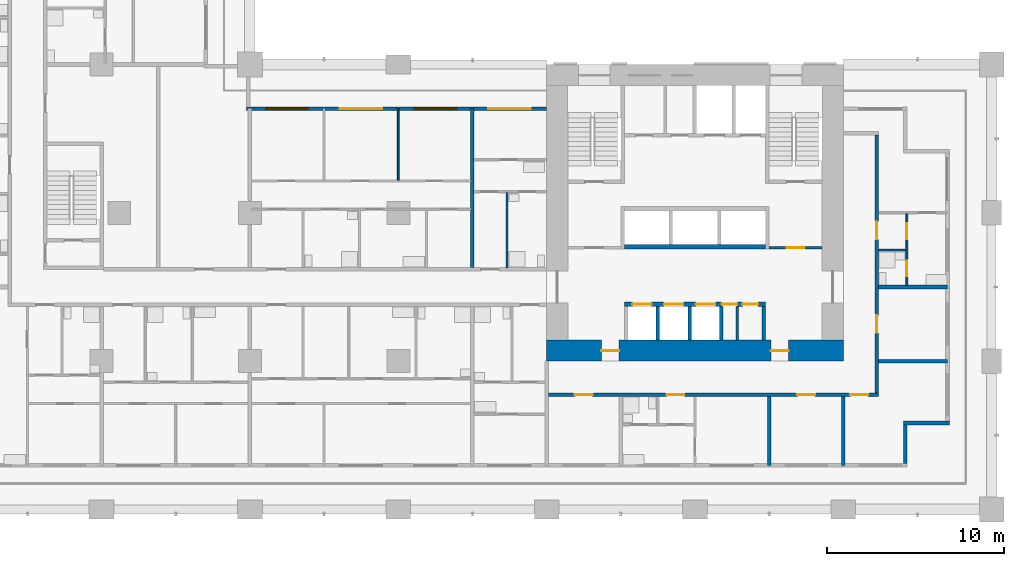
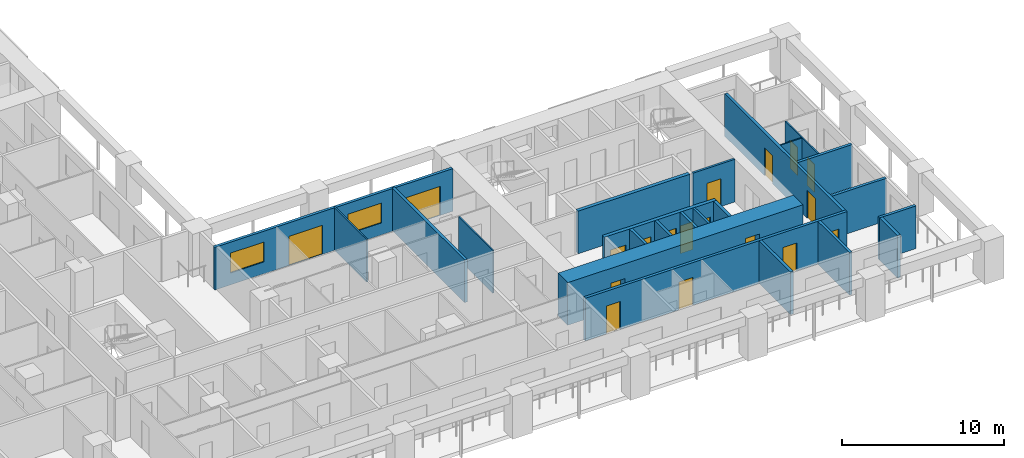
# One storey, part 6 of 19: 23 walls, 18 doors, 2 windows, 20 openings.
"""IFC4 building model written with IfcOpenShell, lengths in metres."""

from ifc_helpers import new_model, si_unit, direction, frame, frame_2d, origin, place, context, subcontext, project, spatial, rectangle, extrude, material, layer, layer_set, type_object, element, fill, save


model = new_model("IFC4")

# Units and contexts
model_context = context("Model", 3, precision=1e-05, world=origin(), true_north=direction((0.0, 1.0)))
body_context = subcontext(model_context, "Body", "Model", "MODEL_VIEW")
ifc_project = project(units=[si_unit("LENGTHUNIT", "METRE"), si_unit("AREAUNIT", "SQUARE_METRE"), si_unit("VOLUMEUNIT", "CUBIC_METRE"), si_unit("PLANEANGLEUNIT", "RADIAN"), si_unit("MASSUNIT", "GRAM", prefix="KILO")], contexts=[model_context])

# Site, building, storey
site_placement = place(None, origin())
site = spatial("IfcSite", under=ifc_project, at=site_placement, CompositionType="ELEMENT")
building_placement = place(site_placement, origin())
building = spatial("IfcBuilding", under=site, at=building_placement, Name="Vermilion Gate Residences", CompositionType="ELEMENT")
storey_placement = place(building_placement, frame((0.0, 0.0, 46.199951171875)))
storey = spatial("IfcBuildingStorey", under=building, at=storey_placement, Name="L10", CompositionType="ELEMENT", Elevation=46.199951171875)

# Wall
ifc_material_1 = material(Name="Masonry blockwork", Category="masonry")
ifc_layer_1 = layer(ifc_material_1, 0.14990234375)
ifc_layer_set_1 = layer_set([ifc_layer_1], Name="BLOCKWORK PARTITION 150 EI 120")
wall_type_1 = type_object("IfcWallType", Name="BLOCKWORK PARTITION 150 EI 120", PredefinedType="PARTITIONING", material=ifc_layer_set_1)
wall_1_placement = place(storey_placement, frame((52.79248046875, 9.60009765625, 0.0), z_axis=(0.0, 0.0, 1.0), x_axis=(0.0, 1.0, 0.0)))
element("IfcWall", 1, at=wall_1_placement, inside=storey, type_object=wall_type_1, Name="Core room partition A10-SR-P0", PredefinedType="PARTITIONING", context=body_context, shape_type="SweptSolid", body=[
    extrude(rectangle(XDim=1.89990234375, YDim=0.14990234375, at=frame_2d((0.949951171875, 0.0))), origin(), (0.0, 0.0, 1.0), 3.219970703125),
])

# Wall, opening, door
wall_2_placement = place(storey_placement, frame((54.60009765625, 14.824951171875, 0.0), z_axis=(0.0, 0.0, 1.0), x_axis=(1.0, 0.0, 0.0)))
wall_2 = element("IfcWall", 2, at=wall_2_placement, inside=storey, type_object=wall_type_1, Name="Core room partition A10-VE-S", PredefinedType="PARTITIONING", context=body_context, shape_type="SweptSolid", body=[
    extrude(rectangle(XDim=3.0, YDim=0.14990234375, at=frame_2d((1.5, 0.0))), origin(), (0.0, 0.0, 1.0), 3.219970703125),
])
opening_1_placement = place(wall_2_placement, frame((1.0, 0.0, 0.0)))
opening_1 = element("IfcOpeningElement", 3, at=opening_1_placement, cuts=wall_2, Name="Opening DK10016", PredefinedType="OPENING", context=body_context, shape_type="SweptSolid", body=[
    extrude(rectangle(XDim=1.0, YDim=2.10009765625, at=frame_2d((0.5, 1.050048828125))), frame((0.0, 0.0849609375, 0.0), z_axis=(0.0, -1.0, 0.0), x_axis=(1.0, 0.0, 0.0)), (0.0, 0.0, 1.0), 0.169921875),
])
ifc_material_2 = material(Name="Steel", Category="steel")
door_type_1 = type_object("IfcDoorType", Name="FIRE DOOR FD60 1000 X 2100", OperationType="SINGLE_SWING_LEFT", PredefinedType="DOOR", material=ifc_material_2)
door_1_placement = place(opening_1_placement, frame((1.0, 0.0, 0.0), z_axis=(0.0, 0.0, 1.0), x_axis=(-1.0, 0.0, 0.0)))
door_1 = element("IfcDoor", 4, at=door_1_placement, inside=storey, type_object=door_type_1, Name="Stair vestibule door A10", OperationType="SINGLE_SWING_LEFT", OverallHeight=2.10009765625, OverallWidth=1.0, PredefinedType="DOOR", context=body_context, shape_type="SweptSolid", body=[
    extrude(rectangle(XDim=1.0, YDim=2.10009765625, at=frame_2d((0.5, 1.050048828125))), frame((0.0, 0.02490234375, 0.0), z_axis=(0.0, -1.0, 0.0), x_axis=(1.0, 0.0, 0.0)), (0.0, 0.0, 1.0), 0.050048828125),
])
fill(opening_1, door_1)

# Walls
ifc_material_3 = material(Name="Insulated steel stud wall with terracotta rainscreen", Category="masonry")
ifc_layer_2 = layer(ifc_material_3, 0.199951171875)
ifc_layer_set_2 = layer_set([ifc_layer_2], Name="EXTERNAL WALL 200 TERRACOTTA RAINSCREEN")
wall_type_2 = type_object("IfcWallType", Name="EXTERNAL WALL 200 TERRACOTTA RAINSCREEN", PredefinedType="SOLIDWALL", material=ifc_layer_set_2)
wall_3_placement = place(storey_placement, frame((62.300048828125, 2.60009765625, 0.0), z_axis=(0.0, 0.0, 1.0), x_axis=(0.0, 1.0, 0.0)))
element("IfcWall", 5, at=wall_3_placement, inside=storey, type_object=wall_type_2, Name="External wall", PredefinedType="SOLIDWALL", context=body_context, shape_type="SweptSolid", body=[
    extrude(rectangle(XDim=2.199951171875, YDim=0.199951171875, at=frame_2d((1.10009765625, 0.0))), origin(), (0.0, 0.0, 1.0), 3.219970703125),
])
wall_4_placement = place(storey_placement, frame((62.199951171875, 4.89990234375, 0.0), z_axis=(0.0, 0.0, 1.0), x_axis=(1.0, 0.0, 0.0)))
element("IfcWall", 6, at=wall_4_placement, inside=storey, type_object=wall_type_2, Name="External wall", PredefinedType="SOLIDWALL", context=body_context, shape_type="SweptSolid", body=[
    extrude(rectangle(XDim=2.60009765625, YDim=0.199951171875, at=frame_2d((1.300048828125, 0.0))), origin(), (0.0, 0.0, 1.0), 3.219970703125),
])

# Wall, openings, doors, windows
wall_5_placement = place(storey_placement, frame((42.0, 22.699951171875, 0.0), z_axis=(0.0, 0.0, 1.0), x_axis=(-1.0, 0.0, 0.0)))
wall_5 = element("IfcWall", 7, at=wall_5_placement, inside=storey, type_object=wall_type_2, Name="External wall", PredefinedType="SOLIDWALL", context=body_context, shape_type="SweptSolid", body=[
    extrude(rectangle(XDim=17.0, YDim=0.199951171875, at=frame_2d((8.5, 0.0))), origin(), (0.0, 0.0, 1.0), 3.219970703125),
])
opening_2_placement = place(wall_5_placement, frame((13.5, 0.0, 0.89990234375)))
opening_2 = element("IfcOpeningElement", 8, at=opening_2_placement, cuts=wall_5, Name="Opening WE10033", PredefinedType="OPENING", context=body_context, shape_type="SweptSolid", body=[
    extrude(rectangle(XDim=2.39990234375, YDim=1.5, at=frame_2d((1.199951171875, 0.75))), frame((0.0, 0.10986328125, 0.0), z_axis=(0.0, -1.0, 0.0), x_axis=(1.0, 0.0, 0.0)), (0.0, 0.0, 1.0), 0.219970703125),
])
opening_3_placement = place(wall_5_placement, frame((9.300048828125, 0.0, 0.0)))
opening_3 = element("IfcOpeningElement", 9, at=opening_3_placement, cuts=wall_5, Name="Opening DE10034", PredefinedType="OPENING", context=body_context, shape_type="SweptSolid", body=[
    extrude(rectangle(XDim=2.39990234375, YDim=2.199951171875, at=frame_2d((1.199951171875, 1.10009765625))), frame((0.0, 0.10986328125, 0.0), z_axis=(0.0, -1.0, 0.0), x_axis=(1.0, 0.0, 0.0)), (0.0, 0.0, 1.0), 0.219970703125),
])
opening_4_placement = place(wall_5_placement, frame((5.10009765625, 0.0, 0.89990234375)))
opening_4 = element("IfcOpeningElement", 10, at=opening_4_placement, cuts=wall_5, Name="Opening WE10035", PredefinedType="OPENING", context=body_context, shape_type="SweptSolid", body=[
    extrude(rectangle(XDim=2.39990234375, YDim=1.5, at=frame_2d((1.199951171875, 0.75))), frame((0.0, 0.10986328125, 0.0), z_axis=(0.0, -1.0, 0.0), x_axis=(1.0, 0.0, 0.0)), (0.0, 0.0, 1.0), 0.219970703125),
])
opening_5_placement = place(wall_5_placement, frame((0.89990234375, 0.0, 0.0)))
opening_5 = element("IfcOpeningElement", 11, at=opening_5_placement, cuts=wall_5, Name="Opening DE10036", PredefinedType="OPENING", context=body_context, shape_type="SweptSolid", body=[
    extrude(rectangle(XDim=2.39990234375, YDim=2.199951171875, at=frame_2d((1.199951171875, 1.10009765625))), frame((0.0, 0.10986328125, 0.0), z_axis=(0.0, -1.0, 0.0), x_axis=(1.0, 0.0, 0.0)), (0.0, 0.0, 1.0), 0.219970703125),
])
ifc_material_4 = material(Name="Aluminium and clear glass", Category="aluminium")
door_type_2 = type_object("IfcDoorType", Name="SLIDING GLAZED DOOR 2400 X 2200", OperationType="DOUBLE_DOOR_SLIDING", PredefinedType="DOOR", material=ifc_material_4)
door_2_placement = place(opening_3_placement, origin())
door_2 = element("IfcDoor", 12, at=door_2_placement, inside=storey, type_object=door_type_2, Name="Loggia sliding door", OperationType="DOUBLE_DOOR_SLIDING", OverallHeight=2.199951171875, OverallWidth=2.39990234375, PredefinedType="DOOR", context=body_context, shape_type="SweptSolid", body=[
    extrude(rectangle(XDim=2.39990234375, YDim=2.199951171875, at=frame_2d((1.199951171875, 1.10009765625))), frame((0.0, 0.02490234375, 0.0), z_axis=(0.0, -1.0, 0.0), x_axis=(1.0, 0.0, 0.0)), (0.0, 0.0, 1.0), 0.050048828125),
])
fill(opening_3, door_2)
door_3_placement = place(opening_5_placement, origin())
door_3 = element("IfcDoor", 13, at=door_3_placement, inside=storey, type_object=door_type_2, Name="Loggia sliding door", OperationType="DOUBLE_DOOR_SLIDING", OverallHeight=2.199951171875, OverallWidth=2.39990234375, PredefinedType="DOOR", context=body_context, shape_type="SweptSolid", body=[
    extrude(rectangle(XDim=2.39990234375, YDim=2.199951171875, at=frame_2d((1.199951171875, 1.10009765625))), frame((0.0, 0.02490234375, 0.0), z_axis=(0.0, -1.0, 0.0), x_axis=(1.0, 0.0, 0.0)), (0.0, 0.0, 1.0), 0.050048828125),
])
fill(opening_5, door_3)
ifc_material_5 = material(Name="Aluminium and clear glass", Category="aluminium")
window_type = type_object("IfcWindowType", Name="WINDOW 2400 X 1500", PartitioningType="SINGLE_PANEL", PredefinedType="WINDOW", material=ifc_material_5)
window_1_placement = place(opening_2_placement, origin())
window_1 = element("IfcWindow", 14, at=window_1_placement, inside=storey, type_object=window_type, Name="Window", OverallHeight=1.5, OverallWidth=2.39990234375, PartitioningType="SINGLE_PANEL", PredefinedType="WINDOW", context=body_context, shape_type="SweptSolid", body=[
    extrude(rectangle(XDim=2.39990234375, YDim=1.5, at=frame_2d((1.199951171875, 0.75))), frame((0.0, 0.030029296875, 0.0), z_axis=(0.0, -1.0, 0.0), x_axis=(1.0, 0.0, 0.0)), (0.0, 0.0, 1.0), 0.06005859375),
])
fill(opening_2, window_1)
window_2_placement = place(opening_4_placement, origin())
window_2 = element("IfcWindow", 15, at=window_2_placement, inside=storey, type_object=window_type, Name="Window", OverallHeight=1.5, OverallWidth=2.39990234375, PartitioningType="SINGLE_PANEL", PredefinedType="WINDOW", context=body_context, shape_type="SweptSolid", body=[
    extrude(rectangle(XDim=2.39990234375, YDim=1.5, at=frame_2d((1.199951171875, 0.75))), frame((0.0, 0.030029296875, 0.0), z_axis=(0.0, -1.0, 0.0), x_axis=(1.0, 0.0, 0.0)), (0.0, 0.0, 1.0), 0.06005859375),
])
fill(opening_4, window_2)

# Walls
ifc_material_6 = material(Name="Plasterboard on steel studs", Category="steel")
ifc_layer_3 = layer(ifc_material_6, 0.10009765625)
ifc_layer_set_3 = layer_set([ifc_layer_3], Name="PARTITION 100")
wall_type_3 = type_object("IfcWallType", Name="PARTITION 100", PredefinedType="PARTITIONING", material=ifc_layer_set_3)
wall_6_placement = place(storey_placement, frame((60.800048828125, 14.699951171875, 0.0), z_axis=(0.0, 0.0, 1.0), x_axis=(1.0, 0.0, 0.0)))
element("IfcWall", 16, at=wall_6_placement, inside=storey, type_object=wall_type_3, Name="Partition", PredefinedType="PARTITIONING", context=body_context, shape_type="SweptSolid", body=[
    extrude(rectangle(XDim=1.550048828125, YDim=0.10009765625, at=frame_2d((0.77490234375, 0.0))), origin(), (0.0, 0.0, 1.0), 3.219970703125),
])
wall_7_placement = place(storey_placement, frame((33.60009765625, 18.64990234375, 0.0), z_axis=(0.0, 0.0, 1.0), x_axis=(0.0, 1.0, 0.0)))
element("IfcWall", 17, at=wall_7_placement, inside=storey, type_object=wall_type_3, Name="Partition", PredefinedType="PARTITIONING", context=body_context, shape_type="SweptSolid", body=[
    extrude(rectangle(XDim=4.050048828125, YDim=0.10009765625, at=frame_2d((2.02490234375, 0.0))), origin(), (0.0, 0.0, 1.0), 3.219970703125),
])
wall_8_placement = place(storey_placement, frame((39.760009765625, 13.699951171875, 0.0), z_axis=(0.0, 0.0, 1.0), x_axis=(0.0, 1.0, 0.0)))
element("IfcWall", 18, at=wall_8_placement, inside=storey, type_object=wall_type_3, Name="Partition", PredefinedType="PARTITIONING", context=body_context, shape_type="SweptSolid", body=[
    extrude(rectangle(XDim=4.25, YDim=0.10009765625, at=frame_2d((2.125, 0.0))), origin(), (0.0, 0.0, 1.0), 3.219970703125),
])

# Wall, openings, doors
wall_9_placement = place(storey_placement, frame((62.39990234375, 12.699951171875, 0.0), z_axis=(0.0, 0.0, 1.0), x_axis=(0.0, 1.0, 0.0)))
wall_9 = element("IfcWall", 19, at=wall_9_placement, inside=storey, type_object=wall_type_3, Name="Partition", PredefinedType="PARTITIONING", context=body_context, shape_type="SweptSolid", body=[
    extrude(rectangle(XDim=4.050048828125, YDim=0.10009765625, at=frame_2d((2.02490234375, 0.0))), origin(), (0.0, 0.0, 1.0), 3.219970703125),
])
opening_6_placement = place(wall_9_placement, frame((2.60009765625, 0.0, 0.0)))
opening_6 = element("IfcOpeningElement", 20, at=opening_6_placement, cuts=wall_9, Name="Opening DA10083", PredefinedType="OPENING", context=body_context, shape_type="SweptSolid", body=[
    extrude(rectangle(XDim=0.89990234375, YDim=2.10009765625, at=frame_2d((0.449951171875, 1.050048828125))), frame((0.0, 0.06005859375, 0.0), z_axis=(0.0, -1.0, 0.0), x_axis=(1.0, 0.0, 0.0)), (0.0, 0.0, 1.0), 0.1201171875),
])
opening_7_placement = place(wall_9_placement, frame((0.5, 0.0, 0.0)))
opening_7 = element("IfcOpeningElement", 21, at=opening_7_placement, cuts=wall_9, Name="Opening DA10084", PredefinedType="OPENING", context=body_context, shape_type="SweptSolid", body=[
    extrude(rectangle(XDim=0.89990234375, YDim=2.10009765625, at=frame_2d((0.449951171875, 1.050048828125))), frame((0.0, 0.06005859375, 0.0), z_axis=(0.0, -1.0, 0.0), x_axis=(1.0, 0.0, 0.0)), (0.0, 0.0, 1.0), 0.1201171875),
])
ifc_material_7 = material(Name="Timber", Category="wood")
door_type_3 = type_object("IfcDoorType", Name="INTERIOR DOOR 900 X 2100", OperationType="SINGLE_SWING_LEFT", PredefinedType="DOOR", material=ifc_material_7)
door_4_placement = place(opening_6_placement, frame((0.89990234375, 0.0, 0.0), z_axis=(0.0, 0.0, 1.0), x_axis=(-1.0, 0.0, 0.0)))
door_4 = element("IfcDoor", 22, at=door_4_placement, inside=storey, type_object=door_type_3, Name="Interior door", OperationType="SINGLE_SWING_LEFT", OverallHeight=2.10009765625, OverallWidth=0.89990234375, PredefinedType="DOOR", context=body_context, shape_type="SweptSolid", body=[
    extrude(rectangle(XDim=0.89990234375, YDim=2.10009765625, at=frame_2d((0.449951171875, 1.050048828125))), frame((0.0, 0.02490234375, 0.0), z_axis=(0.0, -1.0, 0.0), x_axis=(1.0, 0.0, 0.0)), (0.0, 0.0, 1.0), 0.050048828125),
])
fill(opening_6, door_4)
door_5_placement = place(opening_7_placement, origin())
door_5 = element("IfcDoor", 23, at=door_5_placement, inside=storey, type_object=door_type_3, Name="Interior door", OperationType="SINGLE_SWING_RIGHT", OverallHeight=2.10009765625, OverallWidth=0.89990234375, PredefinedType="DOOR", context=body_context, shape_type="SweptSolid", body=[
    extrude(rectangle(XDim=0.89990234375, YDim=2.10009765625, at=frame_2d((0.449951171875, 1.050048828125))), frame((0.0, 0.02490234375, 0.0), z_axis=(0.0, -1.0, 0.0), x_axis=(1.0, 0.0, 0.0)), (0.0, 0.0, 1.0), 0.050048828125),
])
fill(opening_7, door_5)

ifc_material_8 = material(Name="Fire-rated plasterboard on steel studs", Category="steel")
ifc_layer_4 = layer(ifc_material_8, 0.199951171875)
ifc_layer_set_4 = layer_set([ifc_layer_4], Name="PARTY WALL 200 EI 120")
wall_type_4 = type_object("IfcWallType", Name="PARTY WALL 200 EI 120", PredefinedType="PARTITIONING", material=ifc_layer_set_4)
wall_10_placement = place(storey_placement, frame((42.10009765625, 6.5, 0.0), z_axis=(0.0, 0.0, 1.0), x_axis=(1.0, 0.0, 0.0)))
wall_10 = element("IfcWall", 24, at=wall_10_placement, inside=storey, type_object=wall_type_4, Name="Party and corridor wall", PredefinedType="PARTITIONING", context=body_context, shape_type="SweptSolid", body=[
    extrude(rectangle(XDim=18.699951171875, YDim=0.199951171875, at=frame_2d((9.35009765625, 0.0))), origin(), (0.0, 0.0, 1.0), 3.219970703125),
])
opening_8_placement = place(wall_10_placement, frame((1.5, 0.0, 0.0)))
opening_8 = element("IfcOpeningElement", 25, at=opening_8_placement, cuts=wall_10, Name="Opening DA10009", PredefinedType="OPENING", context=body_context, shape_type="SweptSolid", body=[
    extrude(rectangle(XDim=1.0, YDim=2.10009765625, at=frame_2d((0.5, 1.050048828125))), frame((0.0, 0.10986328125, 0.0), z_axis=(0.0, -1.0, 0.0), x_axis=(1.0, 0.0, 0.0)), (0.0, 0.0, 1.0), 0.219970703125),
])
opening_9_placement = place(wall_10_placement, frame((6.699951171875, 0.0, 0.0)))
opening_9 = element("IfcOpeningElement", 26, at=opening_9_placement, cuts=wall_10, Name="Opening DA10010", PredefinedType="OPENING", context=body_context, shape_type="SweptSolid", body=[
    extrude(rectangle(XDim=1.0, YDim=2.10009765625, at=frame_2d((0.5, 1.050048828125))), frame((0.0, 0.10986328125, 0.0), z_axis=(0.0, -1.0, 0.0), x_axis=(1.0, 0.0, 0.0)), (0.0, 0.0, 1.0), 0.219970703125),
])
opening_10_placement = place(wall_10_placement, frame((14.10009765625, 0.0, 0.0)))
opening_10 = element("IfcOpeningElement", 27, at=opening_10_placement, cuts=wall_10, Name="Opening DA10011", PredefinedType="OPENING", context=body_context, shape_type="SweptSolid", body=[
    extrude(rectangle(XDim=1.0, YDim=2.10009765625, at=frame_2d((0.5, 1.050048828125))), frame((0.0, 0.10986328125, 0.0), z_axis=(0.0, -1.0, 0.0), x_axis=(1.0, 0.0, 0.0)), (0.0, 0.0, 1.0), 0.219970703125),
])
opening_11_placement = place(wall_10_placement, frame((17.10009765625, 0.0, 0.0)))
opening_11 = element("IfcOpeningElement", 28, at=opening_11_placement, cuts=wall_10, Name="Opening DA10012", PredefinedType="OPENING", context=body_context, shape_type="SweptSolid", body=[
    extrude(rectangle(XDim=1.0, YDim=2.10009765625, at=frame_2d((0.5, 1.050048828125))), frame((0.0, 0.10986328125, 0.0), z_axis=(0.0, -1.0, 0.0), x_axis=(1.0, 0.0, 0.0)), (0.0, 0.0, 1.0), 0.219970703125),
])
ifc_material_9 = material(Name="Steel", Category="steel")
door_type_4 = type_object("IfcDoorType", Name="ENTRANCE DOOR 1000 X 2100 FD30", OperationType="SINGLE_SWING_LEFT", PredefinedType="DOOR", material=ifc_material_9)
door_6_placement = place(opening_8_placement, frame((1.0, 0.0, 0.0), z_axis=(0.0, 0.0, 1.0), x_axis=(-1.0, 0.0, 0.0)))
door_6 = element("IfcDoor", 29, at=door_6_placement, inside=storey, type_object=door_type_4, Name="Entrance door", OperationType="SINGLE_SWING_RIGHT", OverallHeight=2.10009765625, OverallWidth=1.0, PredefinedType="DOOR", context=body_context, shape_type="SweptSolid", body=[
    extrude(rectangle(XDim=1.0, YDim=2.10009765625, at=frame_2d((0.5, 1.050048828125))), frame((0.0, 0.02490234375, 0.0), z_axis=(0.0, -1.0, 0.0), x_axis=(1.0, 0.0, 0.0)), (0.0, 0.0, 1.0), 0.050048828125),
])
fill(opening_8, door_6)
door_7_placement = place(opening_9_placement, frame((1.0, 0.0, 0.0), z_axis=(0.0, 0.0, 1.0), x_axis=(-1.0, 0.0, 0.0)))
door_7 = element("IfcDoor", 30, at=door_7_placement, inside=storey, type_object=door_type_4, Name="Entrance door", OperationType="SINGLE_SWING_RIGHT", OverallHeight=2.10009765625, OverallWidth=1.0, PredefinedType="DOOR", context=body_context, shape_type="SweptSolid", body=[
    extrude(rectangle(XDim=1.0, YDim=2.10009765625, at=frame_2d((0.5, 1.050048828125))), frame((0.0, 0.02490234375, 0.0), z_axis=(0.0, -1.0, 0.0), x_axis=(1.0, 0.0, 0.0)), (0.0, 0.0, 1.0), 0.050048828125),
])
fill(opening_9, door_7)
door_8_placement = place(opening_10_placement, frame((1.0, 0.0, 0.0), z_axis=(0.0, 0.0, 1.0), x_axis=(-1.0, 0.0, 0.0)))
door_8 = element("IfcDoor", 31, at=door_8_placement, inside=storey, type_object=door_type_4, Name="Entrance door", OperationType="SINGLE_SWING_LEFT", OverallHeight=2.10009765625, OverallWidth=1.0, PredefinedType="DOOR", context=body_context, shape_type="SweptSolid", body=[
    extrude(rectangle(XDim=1.0, YDim=2.10009765625, at=frame_2d((0.5, 1.050048828125))), frame((0.0, 0.02490234375, 0.0), z_axis=(0.0, -1.0, 0.0), x_axis=(1.0, 0.0, 0.0)), (0.0, 0.0, 1.0), 0.050048828125),
])
fill(opening_10, door_8)
door_9_placement = place(opening_11_placement, frame((1.0, 0.0, 0.0), z_axis=(0.0, 0.0, 1.0), x_axis=(-1.0, 0.0, 0.0)))
door_9 = element("IfcDoor", 32, at=door_9_placement, inside=storey, type_object=door_type_4, Name="Entrance door", OperationType="SINGLE_SWING_RIGHT", OverallHeight=2.10009765625, OverallWidth=1.0, PredefinedType="DOOR", context=body_context, shape_type="SweptSolid", body=[
    extrude(rectangle(XDim=1.0, YDim=2.10009765625, at=frame_2d((0.5, 1.050048828125))), frame((0.0, 0.02490234375, 0.0), z_axis=(0.0, -1.0, 0.0), x_axis=(1.0, 0.0, 0.0)), (0.0, 0.0, 1.0), 0.050048828125),
])
fill(opening_11, door_9)

# Walls
for number, where, z_axis, x_axis, name in (
    (33, (60.800048828125, 8.39990234375, 0.0), (0.0, 0.0, 1.0), (1.0, 0.0, 0.0), "Party and corridor wall"),
    (34, (60.800048828125, 12.60009765625, 0.0), (0.0, 0.0, 1.0), (1.0, 0.0, 0.0), "Party and corridor wall"),
):
    element("IfcWall", number, at=place(storey_placement, frame(where, z_axis=z_axis, x_axis=x_axis)), inside=storey, type_object=wall_type_4, Name=name, PredefinedType="PARTITIONING", context=body_context, shape_type="SweptSolid", body=[
        extrude(rectangle(XDim=3.89990234375, YDim=0.199951171875, at=frame_2d((1.949951171875, 0.0))), origin(), (0.0, 0.0, 1.0), 3.219970703125),
    ])
wall_11_placement = place(storey_placement, frame((37.800048828125, 13.699951171875, 0.0), z_axis=(0.0, 0.0, 1.0), x_axis=(0.0, 1.0, 0.0)))
element("IfcWall", 35, at=wall_11_placement, inside=storey, type_object=wall_type_4, Name="Party and corridor wall", PredefinedType="PARTITIONING", context=body_context, shape_type="SweptSolid", body=[
    extrude(rectangle(XDim=9.0, YDim=0.199951171875, at=frame_2d((4.5, 0.0))), origin(), (0.0, 0.0, 1.0), 3.219970703125),
])
for number, where, z_axis, x_axis, name in (
    (36, (54.60009765625, 2.5, 0.0), (0.0, 0.0, 1.0), (0.0, 1.0, 0.0), "Party and corridor wall"),
    (37, (58.800048828125, 2.5, 0.0), (0.0, 0.0, 1.0), (0.0, 1.0, 0.0), "Party and corridor wall"),
):
    element("IfcWall", number, at=place(storey_placement, frame(where, z_axis=z_axis, x_axis=x_axis)), inside=storey, type_object=wall_type_4, Name=name, PredefinedType="PARTITIONING", context=body_context, shape_type="SweptSolid", body=[
        extrude(rectangle(XDim=3.89990234375, YDim=0.199951171875, at=frame_2d((1.949951171875, 0.0))), origin(), (0.0, 0.0, 1.0), 3.219970703125),
    ])

# Wall, openings, doors
wall_12_placement = place(storey_placement, frame((60.699951171875, 6.60009765625, 0.0), z_axis=(0.0, 0.0, 1.0), x_axis=(0.0, 1.0, 0.0)))
wall_12 = element("IfcWall", 38, at=wall_12_placement, inside=storey, type_object=wall_type_4, Name="Party and corridor wall", PredefinedType="PARTITIONING", context=body_context, shape_type="SweptSolid", body=[
    extrude(rectangle(XDim=14.599853515625, YDim=0.199951171875, at=frame_2d((7.2998046875, 0.0))), origin(), (0.0, 0.0, 1.0), 3.219970703125),
])
opening_12_placement = place(wall_12_placement, frame((3.39990234375, 0.0, 0.0)))
opening_12 = element("IfcOpeningElement", 39, at=opening_12_placement, cuts=wall_12, Name="Opening DA10081", PredefinedType="OPENING", context=body_context, shape_type="SweptSolid", body=[
    extrude(rectangle(XDim=1.0, YDim=2.10009765625, at=frame_2d((0.5, 1.050048828125))), frame((0.0, 0.10986328125, 0.0), z_axis=(0.0, -1.0, 0.0), x_axis=(1.0, 0.0, 0.0)), (0.0, 0.0, 1.0), 0.219970703125),
])
opening_13_placement = place(wall_12_placement, frame((8.699951171875, 0.0, 0.0)))
opening_13 = element("IfcOpeningElement", 40, at=opening_13_placement, cuts=wall_12, Name="Opening DA10082", PredefinedType="OPENING", context=body_context, shape_type="SweptSolid", body=[
    extrude(rectangle(XDim=1.0, YDim=2.10009765625, at=frame_2d((0.5, 1.050048828125))), frame((0.0, 0.10986328125, 0.0), z_axis=(0.0, -1.0, 0.0), x_axis=(1.0, 0.0, 0.0)), (0.0, 0.0, 1.0), 0.219970703125),
])
door_10_placement = place(opening_12_placement, frame((1.0, 0.0, 0.0), z_axis=(0.0, 0.0, 1.0), x_axis=(-1.0, 0.0, 0.0)))
door_10 = element("IfcDoor", 41, at=door_10_placement, inside=storey, type_object=door_type_4, Name="Entrance door", OperationType="SINGLE_SWING_RIGHT", OverallHeight=2.10009765625, OverallWidth=1.0, PredefinedType="DOOR", context=body_context, shape_type="SweptSolid", body=[
    extrude(rectangle(XDim=1.0, YDim=2.10009765625, at=frame_2d((0.5, 1.050048828125))), frame((0.0, 0.02490234375, 0.0), z_axis=(0.0, -1.0, 0.0), x_axis=(1.0, 0.0, 0.0)), (0.0, 0.0, 1.0), 0.050048828125),
])
fill(opening_12, door_10)
door_11_placement = place(opening_13_placement, frame((1.0, 0.0, 0.0), z_axis=(0.0, 0.0, 1.0), x_axis=(-1.0, 0.0, 0.0)))
door_11 = element("IfcDoor", 42, at=door_11_placement, inside=storey, type_object=door_type_4, Name="Entrance door", OperationType="SINGLE_SWING_LEFT", OverallHeight=2.10009765625, OverallWidth=1.0, PredefinedType="DOOR", context=body_context, shape_type="SweptSolid", body=[
    extrude(rectangle(XDim=1.0, YDim=2.10009765625, at=frame_2d((0.5, 1.050048828125))), frame((0.0, 0.02490234375, 0.0), z_axis=(0.0, -1.0, 0.0), x_axis=(1.0, 0.0, 0.0)), (0.0, 0.0, 1.0), 0.050048828125),
])
fill(opening_13, door_11)

# Walls
ifc_material_10 = material(Name="Concrete C60", Category="concrete")
ifc_layer_5 = layer(ifc_material_10, 0.199951171875)
ifc_layer_set_5 = layer_set([ifc_layer_5], Name="RC CORE INTERNAL WALL 200 C60")
wall_type_5 = type_object("IfcWallType", Name="RC CORE INTERNAL WALL 200 C60", PredefinedType="SHEAR", material=ifc_layer_set_5)
for number, where, z_axis, x_axis, name in (
    (43, (48.300048828125, 9.60009765625, 0.0), (0.0, 0.0, 1.0), (0.0, 1.0, 0.0), "Core internal wall A10-LR-D1"),
    (44, (50.10009765625, 9.60009765625, 0.0), (0.0, 0.0, 1.0), (0.0, 1.0, 0.0), "Core internal wall A10-LR-D2"),
    (45, (51.89990234375, 9.60009765625, 0.0), (0.0, 0.0, 1.0), (0.0, 1.0, 0.0), "Core internal wall A10-LR-D3"),
    (46, (54.300048828125, 9.60009765625, 0.0), (0.0, 0.0, 1.0), (0.0, 1.0, 0.0), "Core internal wall A10-LR-DE"),
):
    element("IfcWall", number, at=place(storey_placement, frame(where, z_axis=z_axis, x_axis=x_axis)), inside=storey, type_object=wall_type_5, Name=name, PredefinedType="SHEAR", context=body_context, shape_type="SweptSolid", body=[
        extrude(rectangle(XDim=1.89990234375, YDim=0.199951171875, at=frame_2d((0.949951171875, 0.0))), origin(), (0.0, 0.0, 1.0), 3.219970703125),
    ])

# Wall, openings, doors
ifc_material_11 = material(Name="Concrete C80", Category="concrete")
ifc_layer_6 = layer(ifc_material_11, 1.199951171875)
ifc_layer_set_6 = layer_set([ifc_layer_6], Name="RC CORE WALL 1200 C80")
wall_type_6 = type_object("IfcWallType", Name="RC CORE WALL 1200 C80", PredefinedType="SHEAR", material=ifc_layer_set_6)
wall_13_placement = place(storey_placement, frame((42.0, 9.0, 0.0), z_axis=(0.0, 0.0, 1.0), x_axis=(1.0, 0.0, 0.0)))
wall_13 = element("IfcWall", 47, at=wall_13_placement, inside=storey, type_object=wall_type_6, Name="Core wall A10-OUT-B0", PredefinedType="SHEAR", context=body_context, shape_type="SweptSolid", body=[
    extrude(rectangle(XDim=16.800048828125, YDim=1.199951171875, at=frame_2d((8.39990234375, 0.0))), origin(), (0.0, 0.0, 1.0), 3.219970703125),
])
opening_14_placement = place(wall_13_placement, frame((3.10009765625, 0.0, 0.0)))
opening_14 = element("IfcOpeningElement", 48, at=opening_14_placement, cuts=wall_13, Name="Opening DK10001", PredefinedType="OPENING", context=body_context, shape_type="SweptSolid", body=[
    extrude(rectangle(XDim=1.0, YDim=2.10009765625, at=frame_2d((0.5, 1.050048828125))), frame((0.0, 0.60986328125, 0.0), z_axis=(0.0, -1.0, 0.0), x_axis=(1.0, 0.0, 0.0)), (0.0, 0.0, 1.0), 1.219970703125),
])
opening_15_placement = place(wall_13_placement, frame((12.699951171875, 0.0, 0.0)))
opening_15 = element("IfcOpeningElement", 49, at=opening_15_placement, cuts=wall_13, Name="Opening DK10002", PredefinedType="OPENING", context=body_context, shape_type="SweptSolid", body=[
    extrude(rectangle(XDim=1.0, YDim=2.10009765625, at=frame_2d((0.5, 1.050048828125))), frame((0.0, 0.60986328125, 0.0), z_axis=(0.0, -1.0, 0.0), x_axis=(1.0, 0.0, 0.0)), (0.0, 0.0, 1.0), 1.219970703125),
])
door_12_placement = place(opening_14_placement, origin())
door_12 = element("IfcDoor", 50, at=door_12_placement, inside=storey, type_object=door_type_1, Name="Core lobby side door A10", OperationType="SINGLE_SWING_RIGHT", OverallHeight=2.10009765625, OverallWidth=1.0, PredefinedType="DOOR", context=body_context, shape_type="SweptSolid", body=[
    extrude(rectangle(XDim=1.0, YDim=2.10009765625, at=frame_2d((0.5, 1.050048828125))), frame((0.0, 0.02490234375, 0.0), z_axis=(0.0, -1.0, 0.0), x_axis=(1.0, 0.0, 0.0)), (0.0, 0.0, 1.0), 0.050048828125),
])
fill(opening_14, door_12)
door_13_placement = place(opening_15_placement, origin())
door_13 = element("IfcDoor", 51, at=door_13_placement, inside=storey, type_object=door_type_1, Name="Core lobby side door A10", OperationType="SINGLE_SWING_LEFT", OverallHeight=2.10009765625, OverallWidth=1.0, PredefinedType="DOOR", context=body_context, shape_type="SweptSolid", body=[
    extrude(rectangle(XDim=1.0, YDim=2.10009765625, at=frame_2d((0.5, 1.050048828125))), frame((0.0, 0.02490234375, 0.0), z_axis=(0.0, -1.0, 0.0), x_axis=(1.0, 0.0, 0.0)), (0.0, 0.0, 1.0), 0.050048828125),
])
fill(opening_15, door_13)

ifc_material_12 = material(Name="Concrete C60", Category="concrete")
ifc_layer_7 = layer(ifc_material_12, 0.25)
ifc_layer_set_7 = layer_set([ifc_layer_7], Name="RC LIFT SHAFT WALL 250 C60")
wall_type_7 = type_object("IfcWallType", Name="RC LIFT SHAFT WALL 250 C60", PredefinedType="SHEAR", material=ifc_layer_set_7)
wall_14_placement = place(storey_placement, frame((46.39990234375, 11.625, 0.0), z_axis=(0.0, 0.0, 1.0), x_axis=(1.0, 0.0, 0.0)))
wall_14 = element("IfcWall", 52, at=wall_14_placement, inside=storey, type_object=wall_type_7, Name="Lift shaft wall A10-LR-F", PredefinedType="SHEAR", context=body_context, shape_type="SweptSolid", body=[
    extrude(rectangle(XDim=8.0, YDim=0.25, at=frame_2d((4.0, 0.0))), origin(), (0.0, 0.0, 1.0), 3.219970703125),
])
opening_16_placement = place(wall_14_placement, frame((0.449951171875, 0.0, 0.0)))
opening_16 = element("IfcOpeningElement", 53, at=opening_16_placement, cuts=wall_14, Name="Opening LD", PredefinedType="OPENING", context=body_context, shape_type="SweptSolid", body=[
    extrude(rectangle(XDim=1.10009765625, YDim=2.10009765625, at=frame_2d((0.550048828125, 1.050048828125))), frame((0.0, 0.135009765625, 0.0), z_axis=(0.0, -1.0, 0.0), x_axis=(1.0, 0.0, 0.0)), (0.0, 0.0, 1.0), 0.27001953125),
])
opening_17_placement = place(wall_14_placement, frame((2.25, 0.0, 0.0)))
opening_17 = element("IfcOpeningElement", 54, at=opening_17_placement, cuts=wall_14, Name="Opening LD", PredefinedType="OPENING", context=body_context, shape_type="SweptSolid", body=[
    extrude(rectangle(XDim=1.10009765625, YDim=2.10009765625, at=frame_2d((0.550048828125, 1.050048828125))), frame((0.0, 0.135009765625, 0.0), z_axis=(0.0, -1.0, 0.0), x_axis=(1.0, 0.0, 0.0)), (0.0, 0.0, 1.0), 0.27001953125),
])
opening_18_placement = place(wall_14_placement, frame((4.050048828125, 0.0, 0.0)))
opening_18 = element("IfcOpeningElement", 55, at=opening_18_placement, cuts=wall_14, Name="Opening LD", PredefinedType="OPENING", context=body_context, shape_type="SweptSolid", body=[
    extrude(rectangle(XDim=1.10009765625, YDim=2.10009765625, at=frame_2d((0.550048828125, 1.050048828125))), frame((0.0, 0.135009765625, 0.0), z_axis=(0.0, -1.0, 0.0), x_axis=(1.0, 0.0, 0.0)), (0.0, 0.0, 1.0), 0.27001953125),
])
opening_19_placement = place(wall_14_placement, frame((5.5087890625, 0.0, 0.0)))
opening_19 = element("IfcOpeningElement", 56, at=opening_19_placement, cuts=wall_14, Name="Opening DK10008", PredefinedType="OPENING", context=body_context, shape_type="SweptSolid", body=[
    extrude(rectangle(XDim=0.89990234375, YDim=2.10009765625, at=frame_2d((0.449951171875, 1.050048828125))), frame((0.0, 0.135009765625, 0.0), z_axis=(0.0, -1.0, 0.0), x_axis=(1.0, 0.0, 0.0)), (0.0, 0.0, 1.0), 0.27001953125),
])
opening_20_placement = place(wall_14_placement, frame((6.683837890625, 0.0, 0.0)))
opening_20 = element("IfcOpeningElement", 57, at=opening_20_placement, cuts=wall_14, Name="Opening DK10009", PredefinedType="OPENING", context=body_context, shape_type="SweptSolid", body=[
    extrude(rectangle(XDim=0.89990234375, YDim=2.10009765625, at=frame_2d((0.449951171875, 1.050048828125))), frame((0.0, 0.135009765625, 0.0), z_axis=(0.0, -1.0, 0.0), x_axis=(1.0, 0.0, 0.0)), (0.0, 0.0, 1.0), 0.27001953125),
])
ifc_material_13 = material(Name="Stainless steel", Category="steel")
door_type_5 = type_object("IfcDoorType", Name="LIFT LANDING DOOR E60 1100 X 2100", OperationType="DOUBLE_DOOR_SLIDING", PredefinedType="DOOR", material=ifc_material_13)
door_14_placement = place(opening_16_placement, origin())
door_14 = element("IfcDoor", 58, at=door_14_placement, inside=storey, type_object=door_type_5, Name="Lift landing door LRA1", OperationType="DOUBLE_DOOR_SLIDING", OverallHeight=2.10009765625, OverallWidth=1.10009765625, PredefinedType="DOOR", context=body_context, shape_type="SweptSolid", body=[
    extrude(rectangle(XDim=1.10009765625, YDim=2.10009765625, at=frame_2d((0.550048828125, 1.050048828125))), frame((0.0, 0.02490234375, 0.0), z_axis=(0.0, -1.0, 0.0), x_axis=(1.0, 0.0, 0.0)), (0.0, 0.0, 1.0), 0.050048828125),
])
fill(opening_16, door_14)
door_15_placement = place(opening_17_placement, origin())
door_15 = element("IfcDoor", 59, at=door_15_placement, inside=storey, type_object=door_type_5, Name="Lift landing door LRA2", OperationType="DOUBLE_DOOR_SLIDING", OverallHeight=2.10009765625, OverallWidth=1.10009765625, PredefinedType="DOOR", context=body_context, shape_type="SweptSolid", body=[
    extrude(rectangle(XDim=1.10009765625, YDim=2.10009765625, at=frame_2d((0.550048828125, 1.050048828125))), frame((0.0, 0.02490234375, 0.0), z_axis=(0.0, -1.0, 0.0), x_axis=(1.0, 0.0, 0.0)), (0.0, 0.0, 1.0), 0.050048828125),
])
fill(opening_17, door_15)
door_16_placement = place(opening_18_placement, origin())
door_16 = element("IfcDoor", 60, at=door_16_placement, inside=storey, type_object=door_type_5, Name="Lift landing door LRA3", OperationType="DOUBLE_DOOR_SLIDING", OverallHeight=2.10009765625, OverallWidth=1.10009765625, PredefinedType="DOOR", context=body_context, shape_type="SweptSolid", body=[
    extrude(rectangle(XDim=1.10009765625, YDim=2.10009765625, at=frame_2d((0.550048828125, 1.050048828125))), frame((0.0, 0.02490234375, 0.0), z_axis=(0.0, -1.0, 0.0), x_axis=(1.0, 0.0, 0.0)), (0.0, 0.0, 1.0), 0.050048828125),
])
fill(opening_18, door_16)
ifc_material_14 = material(Name="Steel", Category="steel")
door_type_6 = type_object("IfcDoorType", Name="SERVICE ROOM DOOR FD60 900 X 2100", OperationType="SINGLE_SWING_LEFT", PredefinedType="DOOR", material=ifc_material_14)
door_17_placement = place(opening_19_placement, origin())
door_17 = element("IfcDoor", 61, at=door_17_placement, inside=storey, type_object=door_type_6, Name="Fire equipment store A10", OperationType="SINGLE_SWING_LEFT", OverallHeight=2.10009765625, OverallWidth=0.89990234375, PredefinedType="DOOR", context=body_context, shape_type="SweptSolid", body=[
    extrude(rectangle(XDim=0.89990234375, YDim=2.10009765625, at=frame_2d((0.449951171875, 1.050048828125))), frame((0.0, 0.02490234375, 0.0), z_axis=(0.0, -1.0, 0.0), x_axis=(1.0, 0.0, 0.0)), (0.0, 0.0, 1.0), 0.050048828125),
])
fill(opening_19, door_17)
door_18_placement = place(opening_20_placement, frame((0.89990234375, 0.0, 0.0), z_axis=(0.0, 0.0, 1.0), x_axis=(-1.0, 0.0, 0.0)))
door_18 = element("IfcDoor", 62, at=door_18_placement, inside=storey, type_object=door_type_6, Name="Mail room A10", OperationType="SINGLE_SWING_RIGHT", OverallHeight=2.10009765625, OverallWidth=0.89990234375, PredefinedType="DOOR", context=body_context, shape_type="SweptSolid", body=[
    extrude(rectangle(XDim=0.89990234375, YDim=2.10009765625, at=frame_2d((0.449951171875, 1.050048828125))), frame((0.0, 0.02490234375, 0.0), z_axis=(0.0, -1.0, 0.0), x_axis=(1.0, 0.0, 0.0)), (0.0, 0.0, 1.0), 0.050048828125),
])
fill(opening_20, door_18)

# Wall
wall_15_placement = place(storey_placement, frame((46.39990234375, 14.875, 0.0), z_axis=(0.0, 0.0, 1.0), x_axis=(1.0, 0.0, 0.0)))
element("IfcWall", 63, at=wall_15_placement, inside=storey, type_object=wall_type_7, Name="Lift shaft wall A10-HR-F", PredefinedType="SHEAR", context=body_context, shape_type="SweptSolid", body=[
    extrude(rectangle(XDim=8.0, YDim=0.25, at=frame_2d((4.0, 0.0))), origin(), (0.0, 0.0, 1.0), 3.219970703125),
])

save(model, "model.ifc")
